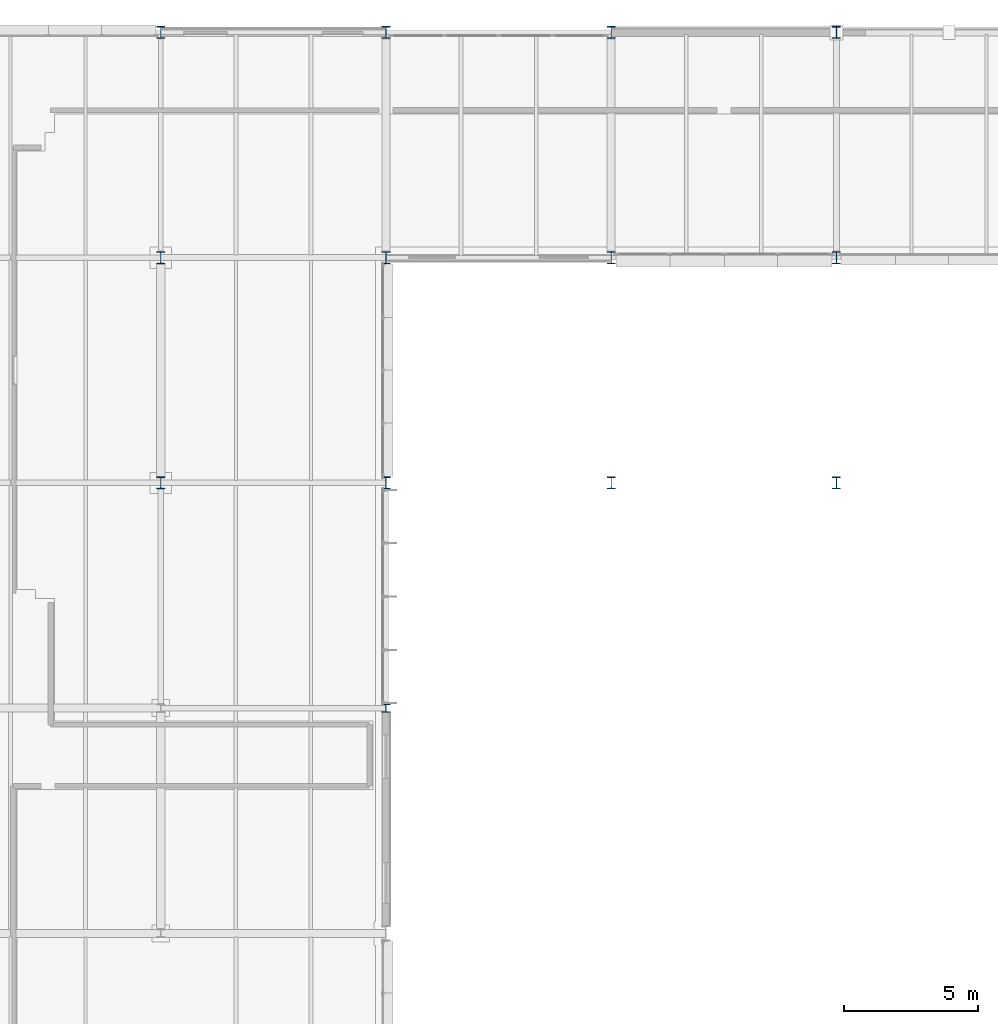
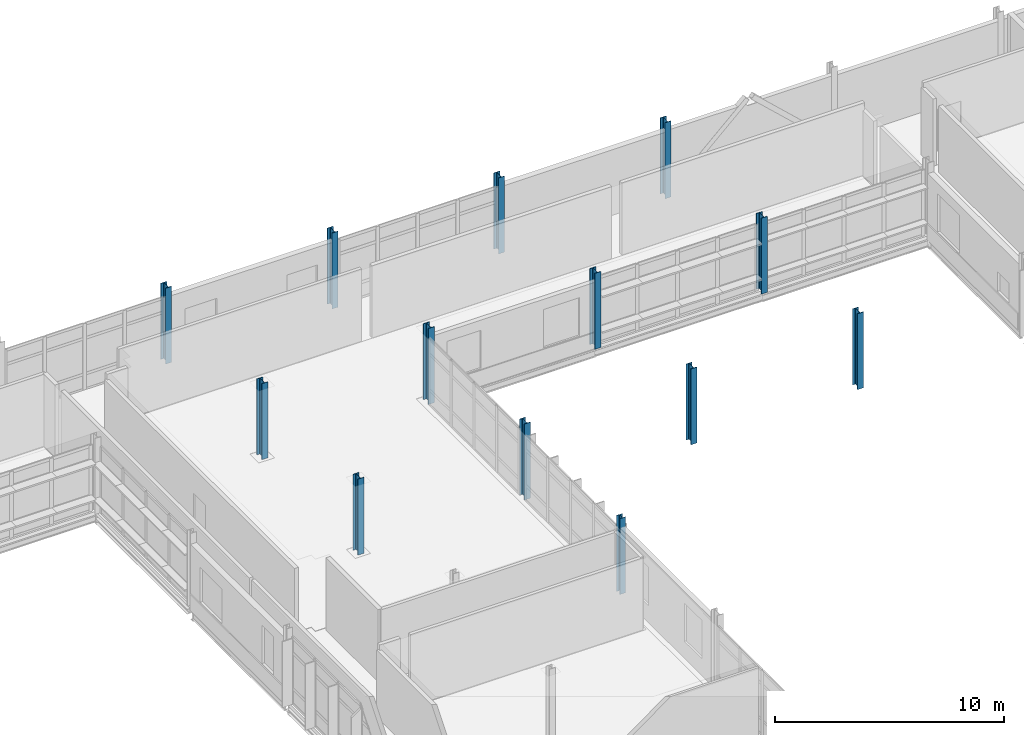
# One storey, part 8 of 103: 13 columns.
"""IFC4 building model written with IfcOpenShell, lengths in metres."""

from ifc_helpers import new_model, si_unit, direction, frame, origin, origin_2d, place, context, subcontext, project, spatial, i_section, extrude, material, material_profile, profile_set, type_object, element, save


model = new_model("IFC4")

# Units and contexts
model_context = context("Model", 3, precision=1e-05, world=origin(), true_north=direction((0.0, 1.0)))
body_context = subcontext(model_context, "Body", "Model", "MODEL_VIEW")
ifc_project = project(units=[si_unit("LENGTHUNIT", "METRE"), si_unit("AREAUNIT", "SQUARE_METRE"), si_unit("VOLUMEUNIT", "CUBIC_METRE"), si_unit("PLANEANGLEUNIT", "RADIAN"), si_unit("MASSUNIT", "GRAM", prefix="KILO")], contexts=[model_context])

# Site, building, storey
site_placement = place(None, origin())
site = spatial("IfcSite", under=ifc_project, at=site_placement, CompositionType="ELEMENT")
building_placement = place(site_placement, origin())
building = spatial("IfcBuilding", under=site, at=building_placement, Name="Mersafa Astral City Hall", CompositionType="ELEMENT")
storey_placement = place(building_placement, frame((0.0, 0.0, 18.0)))
storey = spatial("IfcBuildingStorey", under=building, at=storey_placement, Name="L04", CompositionType="ELEMENT", Elevation=18.0)

# Columns
ifc_material = material(Name="Steel S355", Category="steel")
ifc_material_profile_1 = material_profile(ifc_material, i_section(OverallWidth=0.300048828125, OverallDepth=0.300048828125, WebThickness=0.010986328125, FlangeThickness=0.01904296875, FilletRadius=0.027099609375, at=origin_2d()), Name="HEB 300")
ifc_profile_set_1 = profile_set([ifc_material_profile_1], Name="Steel S355")
column_type_1 = type_object("IfcColumnType", Name="STR-COL-HEB300", PredefinedType="COLUMN", material=ifc_profile_set_1)
column_placement = place(storey_placement, frame((117.60009765625, 100.800048828125, 0.0), z_axis=(0.0, 0.0, 1.0), x_axis=(1.0, 0.0, 0.0)))
element("IfcColumn", 1, at=column_placement, inside=storey, type_object=column_type_1, Name="L04 Structural column G-14-12", PredefinedType="COLUMN", context=body_context, shape_type="SweptSolid", body=[
    extrude(i_section(OverallWidth=0.300048828125, OverallDepth=0.300048828125, WebThickness=0.010986328125, FlangeThickness=0.01904296875, FilletRadius=0.027099609375, at=origin_2d()), origin(), (0.0, 0.0, 1.0), 4.050048828125),
])
ifc_material_profile_2 = material_profile(ifc_material, i_section(OverallWidth=0.300048828125, OverallDepth=0.449951171875, WebThickness=0.013916015625, FlangeThickness=0.02587890625, FilletRadius=0.027099609375, at=origin_2d()), Name="HEB 450")
ifc_profile_set_2 = profile_set([ifc_material_profile_2], Name="Steel S355")
column_type_2 = type_object("IfcColumnType", Name="STR-COL-HEB450", PredefinedType="COLUMN", material=ifc_profile_set_2)
for number, where, z_axis, x_axis, name in (
    (2, (109.199951171875, 109.199951171875, 0.0), (0.0, 0.0, 1.0), (1.0, 0.0, 0.0), "L04 Structural column G-13-13"),
    (3, (109.199951171875, 117.60009765625, 0.0), (0.0, 0.0, 1.0), (1.0, 0.0, 0.0), "L04 Structural column G-13-14"),
    (4, (109.199951171875, 126.0, 0.0), (0.0, 0.0, 1.0), (1.0, 0.0, 0.0), "L04 Structural column G-13-15"),
    (5, (117.60009765625, 109.199951171875, 0.0), (0.0, 0.0, 1.0), (1.0, 0.0, 0.0), "L04 Structural column G-14-13"),
    (6, (117.60009765625, 117.60009765625, 0.0), (0.0, 0.0, 1.0), (1.0, 0.0, 0.0), "L04 Structural column G-14-14"),
    (7, (117.60009765625, 126.0, 0.0), (0.0, 0.0, 1.0), (1.0, 0.0, 0.0), "L04 Structural column G-14-15"),
    (8, (126.0, 109.199951171875, 0.0), (0.0, 0.0, 1.0), (1.0, 0.0, 0.0), "L04 Structural column G-15-13"),
    (9, (126.0, 117.60009765625, 0.0), (0.0, 0.0, 1.0), (1.0, 0.0, 0.0), "L04 Structural column G-15-14"),
    (10, (126.0, 126.0, 0.0), (0.0, 0.0, 1.0), (1.0, 0.0, 0.0), "L04 Structural column G-15-15"),
    (11, (134.39990234375, 109.199951171875, 0.0), (0.0, 0.0, 1.0), (1.0, 0.0, 0.0), "L04 Structural column G-16-13"),
    (12, (134.39990234375, 117.60009765625, 0.0), (0.0, 0.0, 1.0), (1.0, 0.0, 0.0), "L04 Structural column G-16-14"),
    (13, (134.39990234375, 126.0, 0.0), (0.0, 0.0, 1.0), (1.0, 0.0, 0.0), "L04 Structural column G-16-15"),
):
    element("IfcColumn", number, at=place(storey_placement, frame(where, z_axis=z_axis, x_axis=x_axis)), inside=storey, type_object=column_type_2, Name=name, PredefinedType="COLUMN", context=body_context, shape_type="SweptSolid", body=[
        extrude(i_section(OverallWidth=0.300048828125, OverallDepth=0.449951171875, WebThickness=0.013916015625, FlangeThickness=0.02587890625, FilletRadius=0.027099609375, at=origin_2d()), origin(), (0.0, 0.0, 1.0), 4.050048828125),
    ])

save(model, "model.ifc")
